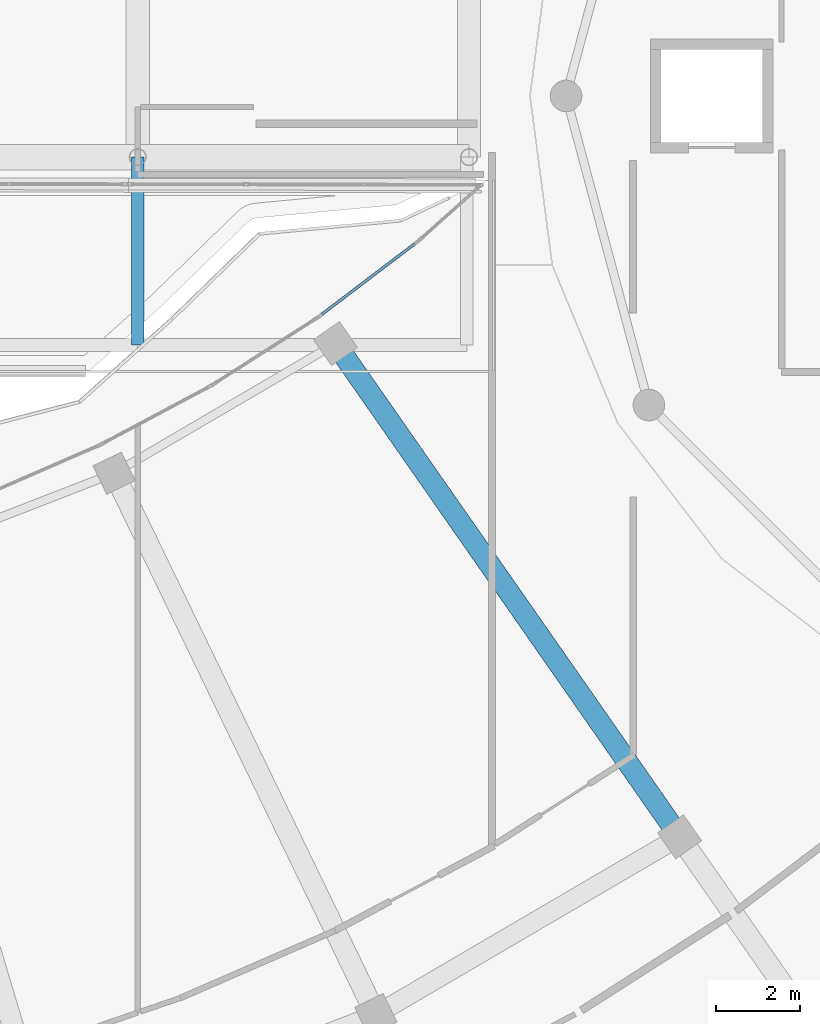
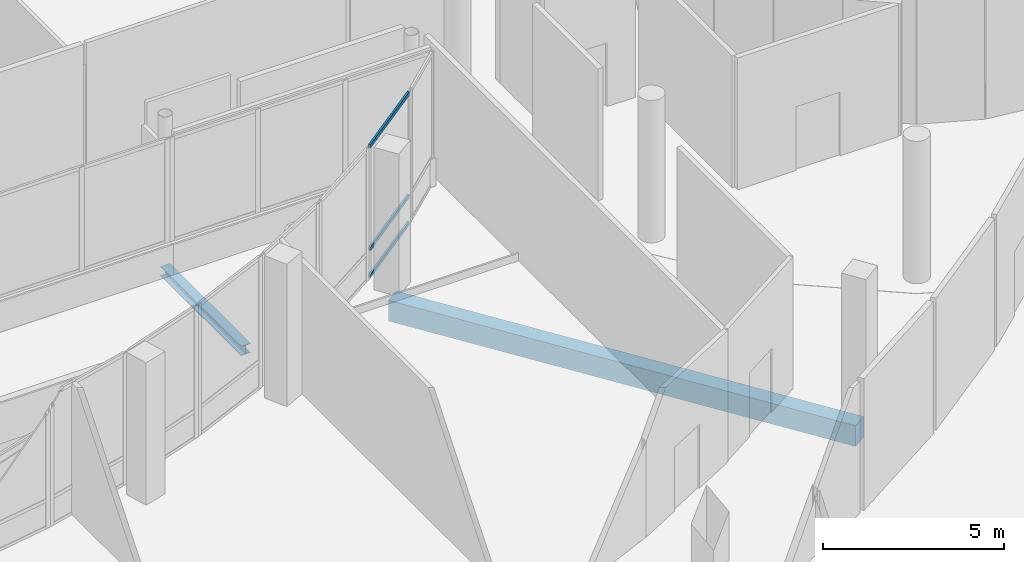
# One storey, part 55 of 168: 3 members, 2 beams, 1 element without a shape of its own.
"""IFC4 building model written with IfcOpenShell, lengths in metres."""

from ifc_helpers import new_model, si_unit, direction, frame, origin, origin_2d, place, context, subcontext, project, spatial, rectangle, hollow_rectangle, i_section, extrude, material, material_profile, profile_set, type_object, element, aggregate, save


model = new_model("IFC4")

# Units and contexts
model_context = context("Model", 3, precision=1e-05, world=origin(), true_north=direction((0.0, 1.0)))
body_context = subcontext(model_context, "Body", "Model", "MODEL_VIEW")
ifc_project = project(units=[si_unit("LENGTHUNIT", "METRE"), si_unit("AREAUNIT", "SQUARE_METRE"), si_unit("VOLUMEUNIT", "CUBIC_METRE"), si_unit("PLANEANGLEUNIT", "RADIAN"), si_unit("MASSUNIT", "GRAM", prefix="KILO")], contexts=[model_context])

# Site, building, storey
site_placement = place(None, origin())
site = spatial("IfcSite", under=ifc_project, at=site_placement, CompositionType="ELEMENT")
building_placement = place(site_placement, origin())
building = spatial("IfcBuilding", under=site, at=building_placement, Name="Selatvlak General Hospital", CompositionType="ELEMENT")
storey_placement = place(building_placement, frame((0.0, 0.0, 5.39990234375)))
storey = spatial("IfcBuildingStorey", under=building, at=storey_placement, Name="L01", CompositionType="ELEMENT", Elevation=5.39990234375)

# Beams
ifc_material_1 = material(Name="Steel S355", Category="steel")
ifc_material_profile_1 = material_profile(ifc_material_1, i_section(OverallWidth=0.300048828125, OverallDepth=0.320068359375, WebThickness=0.011474609375, FlangeThickness=0.0205078125, at=origin_2d()), Name="HEB 320")
ifc_profile_set_1 = profile_set([ifc_material_profile_1], Name="Steel S355")
beam_type_1 = type_object("IfcBeamType", Name="BM-CAN", PredefinedType="BEAM", material=ifc_profile_set_1)
beam_1_placement = place(storey_placement, frame((73.199951171875, 48.10009765625, -0.47998046875), z_axis=(0.0, 1.0, 0.0), x_axis=(-1.0, 0.0, 0.0)))
element("IfcBeam", 1, at=beam_1_placement, inside=storey, type_object=beam_type_1, Name="Beam BMR-L01-2950", PredefinedType="BEAM", context=body_context, shape_type="SweptSolid", body=[
    extrude(i_section(OverallWidth=0.300048828125, OverallDepth=0.320068359375, WebThickness=0.011474609375, FlangeThickness=0.0205078125, at=origin_2d()), origin(), (0.0, 0.0, 1.0), 4.449951171875),
])
ifc_material_2 = material(Name="Concrete C40/50", Category="concrete")
ifc_material_profile_2 = material_profile(ifc_material_2, rectangle(XDim=0.5, YDim=0.699951171875, at=origin_2d()), Name="RC-BM 500x700")
ifc_profile_set_2 = profile_set([ifc_material_profile_2], Name="Concrete C40/50")
beam_type_2 = type_object("IfcBeamType", Name="BM-G03", PredefinedType="BEAM", material=ifc_profile_set_2)
beam_2_placement = place(storey_placement, frame((77.886962890625, 48.131103515625, -0.669921875), z_axis=(0.572196870903, -0.820116297198, 0.0), x_axis=(0.820116297198, 0.572196870903, 0.0)))
element("IfcBeam", 2, at=beam_2_placement, inside=storey, type_object=beam_type_2, Name="Beam BMR-L01-0731", PredefinedType="BEAM", context=body_context, shape_type="SweptSolid", body=[
    extrude(rectangle(XDim=0.5, YDim=0.699951171875, at=origin_2d()), origin(), (0.0, 0.0, 1.0), 14.25048828125),
])

# Curtain wall, members
ifc_material_3 = material(Name="Solar-control Low-E double glazing", Category="glass")
curtain_wall_type = type_object("IfcCurtainWallType", Name="CW-CW-02", PredefinedType="USERDEFINED", material=ifc_material_3)
curtain_wall_placement = place(storey_placement, origin())
curtain_wall = element("IfcCurtainWall", 3, at=curtain_wall_placement, inside=storey, type_object=curtain_wall_type, Name="Glazed facade curtain wall CW-L01-0206", ObjectType="UNITISED CURTAIN WALL", PredefinedType="USERDEFINED")
ifc_material_4 = material(Name="Dark anodised aluminium mullion", Category="aluminium")
ifc_material_profile_3 = material_profile(ifc_material_4, hollow_rectangle(XDim=0.06494140625, YDim=0.1201171875, WallThickness=0.00390625, at=origin_2d()), Name="AL-TRN 65x120x4")
ifc_profile_set_3 = profile_set([ifc_material_profile_3], Name="Dark anodised aluminium mullion")
member_type = type_object("IfcMemberType", Name="CWT-01", PredefinedType="USERDEFINED", material=ifc_profile_set_3)
member_1_placement = place(storey_placement, frame((77.559814453125, 48.8232421875, 0.03271484375), z_axis=(0.796549288626, 0.604573594189, 0.0), x_axis=(-0.604573594189, 0.796549288626, 0.0)))
member_1 = element("IfcMember", 4, at=member_1_placement, type_object=member_type, Name="CW-02 transom 1.1", ObjectType="TRANSOM", PredefinedType="USERDEFINED", context=body_context, shape_type="SweptSolid", body=[
    extrude(hollow_rectangle(XDim=0.06494140625, YDim=0.1201171875, WallThickness=0.00390625, at=origin_2d()), origin(), (0.0, 0.0, 1.0), 2.769775390625),
])
member_2_placement = place(storey_placement, frame((77.559814453125, 48.8232421875, 0.9501953125), z_axis=(0.796549288626, 0.604573594189, 0.0), x_axis=(-0.604573594189, 0.796549288626, 0.0)))
member_2 = element("IfcMember", 5, at=member_2_placement, type_object=member_type, Name="CW-02 transom 1.2", ObjectType="TRANSOM", PredefinedType="USERDEFINED", context=body_context, shape_type="SweptSolid", body=[
    extrude(hollow_rectangle(XDim=0.06494140625, YDim=0.1201171875, WallThickness=0.00390625, at=origin_2d()), origin(), (0.0, 0.0, 1.0), 2.769775390625),
])
member_3_placement = place(storey_placement, frame((77.559814453125, 48.8232421875, 4.41259765625), z_axis=(0.796549288626, 0.604573594189, 0.0), x_axis=(-0.604573594189, 0.796549288626, 0.0)))
member_3 = element("IfcMember", 6, at=member_3_placement, type_object=member_type, Name="CW-02 transom 1.3", ObjectType="TRANSOM", PredefinedType="USERDEFINED", context=body_context, shape_type="SweptSolid", body=[
    extrude(hollow_rectangle(XDim=0.06494140625, YDim=0.1201171875, WallThickness=0.00390625, at=origin_2d()), origin(), (0.0, 0.0, 1.0), 2.769775390625),
])
aggregate(curtain_wall, [member_1, member_2, member_3])

save(model, "model.ifc")
